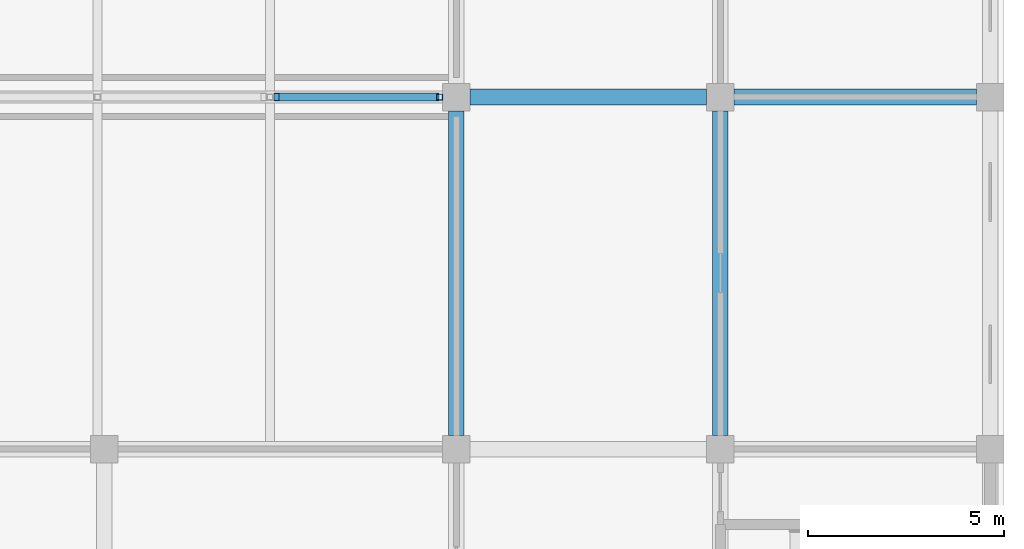
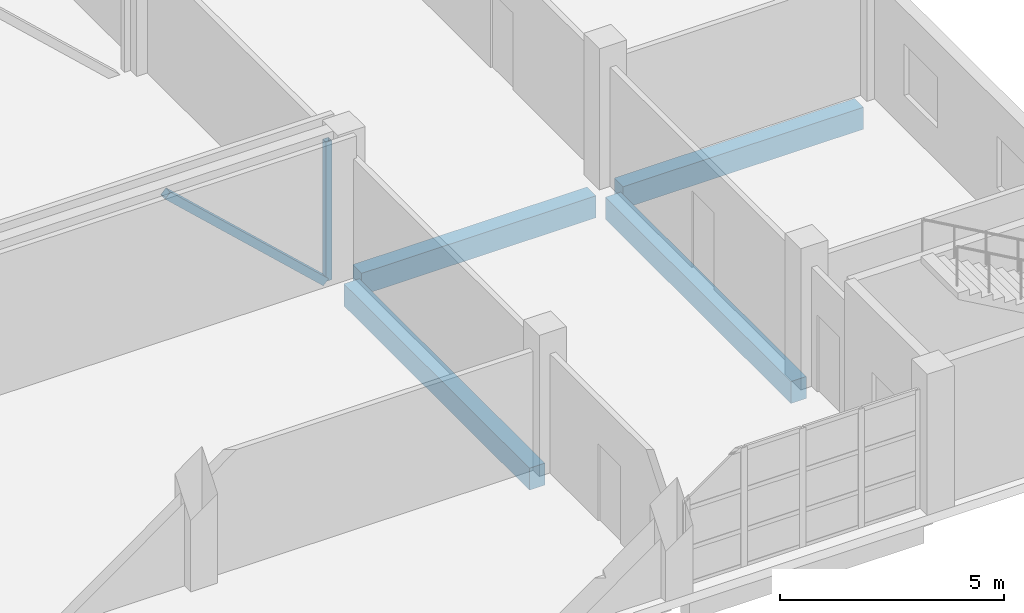
# One storey, part 11 of 42: 4 beams, 2 members.
"""IFC4 building model written with IfcOpenShell, lengths in metres."""

from ifc_helpers import new_model, si_unit, direction, frame, origin, origin_2d, place, context, subcontext, project, spatial, rectangle, hollow_rectangle, extrude, material, material_profile, profile_set, type_object, element, save


model = new_model("IFC4")

# Units and contexts
model_context = context("Model", 3, precision=1e-05, world=origin(), true_north=direction((0.0, 1.0)))
body_context = subcontext(model_context, "Body", "Model", "MODEL_VIEW")
ifc_project = project(units=[si_unit("LENGTHUNIT", "METRE"), si_unit("AREAUNIT", "SQUARE_METRE"), si_unit("VOLUMEUNIT", "CUBIC_METRE"), si_unit("PLANEANGLEUNIT", "RADIAN"), si_unit("MASSUNIT", "GRAM", prefix="KILO")], contexts=[model_context])

# Site, building, storey
site_placement = place(None, origin())
site = spatial("IfcSite", under=ifc_project, at=site_placement, CompositionType="ELEMENT")
building_placement = place(site_placement, origin())
building = spatial("IfcBuilding", under=site, at=building_placement, Name="Corbel Stack Research Tower", CompositionType="ELEMENT")
storey_placement = place(building_placement, frame((0.0, 0.0, 11.300048828125)))
storey = spatial("IfcBuildingStorey", under=building, at=storey_placement, Name="L02", CompositionType="ELEMENT", Elevation=11.300048828125)

# Beams
ifc_material_1 = material(Name="Concrete C40/50", Category="concrete")
ifc_material_profile_1 = material_profile(ifc_material_1, rectangle(XDim=0.39990234375, YDim=0.60009765625, at=origin_2d()), Name="RC 400 x 600")
ifc_profile_set_1 = profile_set([ifc_material_profile_1], Name="Concrete C40/50")
beam_type = type_object("IfcBeamType", Name="HB1 RC beam 400 x 600", PredefinedType="BEAM", material=ifc_profile_set_1)
beam_1_placement = place(storey_placement, frame((86.949951171875, -17.64990234375, -0.550048828125), z_axis=(0.0, 1.0, 0.0), x_axis=(-1.0, 0.0, 0.0)))
element("IfcBeam", 1, at=beam_1_placement, inside=storey, type_object=beam_type, Name="Floor beam L02 H7HB-H7HC", PredefinedType="BEAM", context=body_context, shape_type="SweptSolid", body=[
    extrude(rectangle(XDim=0.39990234375, YDim=0.60009765625, at=origin_2d()), origin(), (0.0, 0.0, 1.0), 8.2998046875),
])
beam_2_placement = place(storey_placement, frame((87.300048828125, -9.0, -0.550048828125), z_axis=(1.0, 0.0, 0.0), x_axis=(0.0, 1.0, 0.0)))
element("IfcBeam", 2, at=beam_2_placement, inside=storey, type_object=beam_type, Name="Floor beam L02 H7HC-H8HC", PredefinedType="BEAM", context=body_context, shape_type="SweptSolid", body=[
    extrude(rectangle(XDim=0.39990234375, YDim=0.60009765625, at=origin_2d()), origin(), (0.0, 0.0, 1.0), 6.050048828125),
])
beam_3_placement = place(storey_placement, frame((93.699951171875, -17.64990234375, -0.550048828125), z_axis=(0.0, 1.0, 0.0), x_axis=(-1.0, 0.0, 0.0)))
element("IfcBeam", 3, at=beam_3_placement, inside=storey, type_object=beam_type, Name="Floor beam L02 H8HB-H8HC", PredefinedType="BEAM", context=body_context, shape_type="SweptSolid", body=[
    extrude(rectangle(XDim=0.39990234375, YDim=0.60009765625, at=origin_2d()), origin(), (0.0, 0.0, 1.0), 8.2998046875),
])
beam_4_placement = place(storey_placement, frame((94.050048828125, -9.0, -0.550048828125), z_axis=(1.0, 0.0, 0.0), x_axis=(0.0, 1.0, 0.0)))
element("IfcBeam", 4, at=beam_4_placement, inside=storey, type_object=beam_type, Name="Floor beam L02 H8HC-H9HC", PredefinedType="BEAM", context=body_context, shape_type="SweptSolid", body=[
    extrude(rectangle(XDim=0.39990234375, YDim=0.60009765625, at=origin_2d()), origin(), (0.0, 0.0, 1.0), 6.199951171875),
])

# Members
ifc_material_2 = material(Name="Steel S355", Category="steel")
ifc_material_profile_2 = material_profile(ifc_material_2, hollow_rectangle(XDim=0.202880859375, YDim=0.202880859375, WallThickness=0.0087890625, at=origin_2d()), Name="HSS8x8x3/8")
ifc_profile_set_2 = profile_set([ifc_material_profile_2], Name="Steel S355")
member_type_1 = type_object("IfcMemberType", Name="HT2 truss diagonal HSS8x8x3/8", PredefinedType="BRACE", material=ifc_profile_set_2)
member_1_placement = place(storey_placement, frame((82.3515625, -9.0, 3.544921875), z_axis=(0.732576659872, 0.0, -0.680684535898), x_axis=(0.0, 1.0, 0.0)))
element("IfcMember", 5, at=member_1_placement, inside=storey, type_object=member_type_1, Name="Truss TA1 diagonal 8", PredefinedType="BRACE", context=body_context, shape_type="SweptSolid", body=[
    extrude(hollow_rectangle(XDim=0.202880859375, YDim=0.202880859375, WallThickness=0.0087890625, at=origin_2d()), origin(), (0.0, 0.0, 1.0), 5.5751953125),
])
ifc_material_3 = material(Name="Steel S355", Category="steel")
ifc_material_profile_3 = material_profile(ifc_material_3, hollow_rectangle(XDim=0.152099609375, YDim=0.152099609375, WallThickness=0.005859375, at=origin_2d()), Name="HSS6x6x1/4")
ifc_profile_set_3 = profile_set([ifc_material_profile_3], Name="Steel S355")
member_type_2 = type_object("IfcMemberType", Name="HT3 truss post HSS6x6x1/4", PredefinedType="POST", material=ifc_profile_set_3)
member_2_placement = place(storey_placement, frame((86.52392578125, -9.0, -0.25), z_axis=(0.0, 0.0, 1.0), x_axis=(1.0, 0.0, 0.0)))
element("IfcMember", 6, at=member_2_placement, inside=storey, type_object=member_type_2, Name="Truss TA1 post 9", PredefinedType="POST", context=body_context, shape_type="SweptSolid", body=[
    extrude(hollow_rectangle(XDim=0.152099609375, YDim=0.152099609375, WallThickness=0.005859375, at=origin_2d()), origin(), (0.0, 0.0, 1.0), 3.794921875),
])

save(model, "model.ifc")
